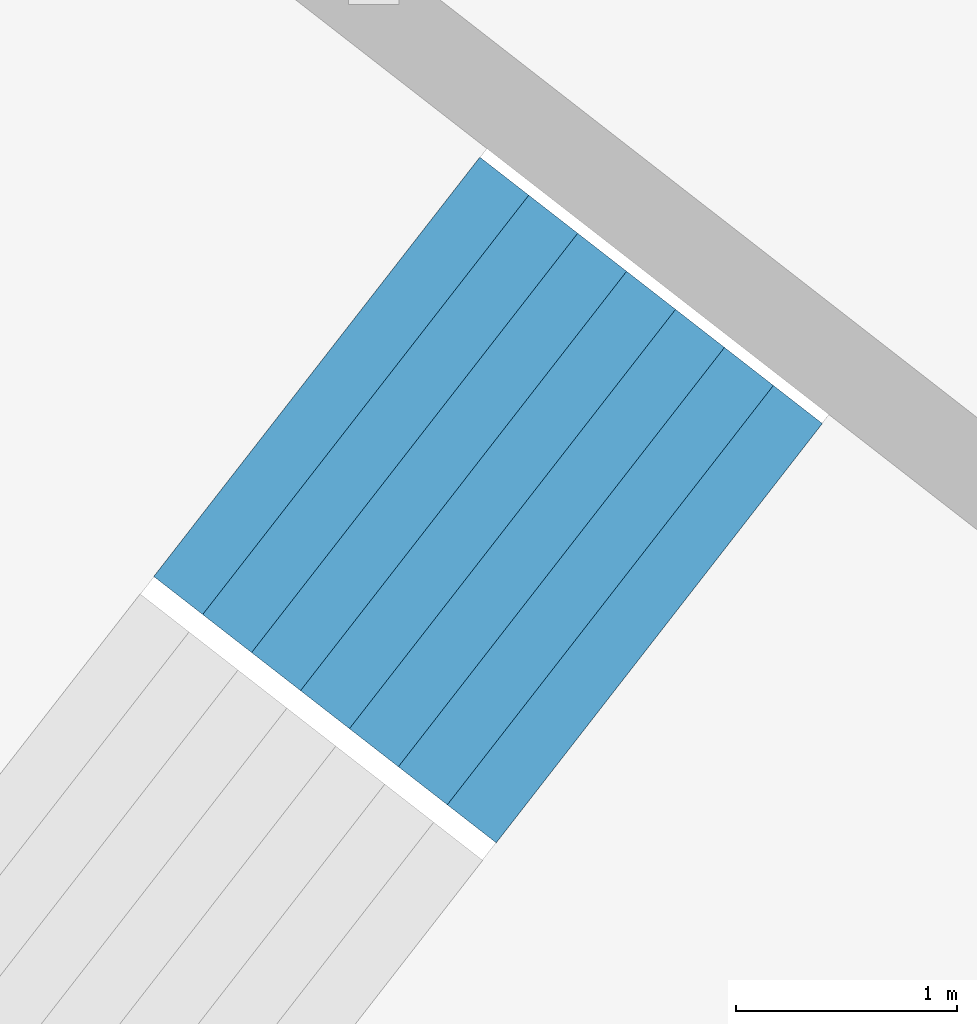
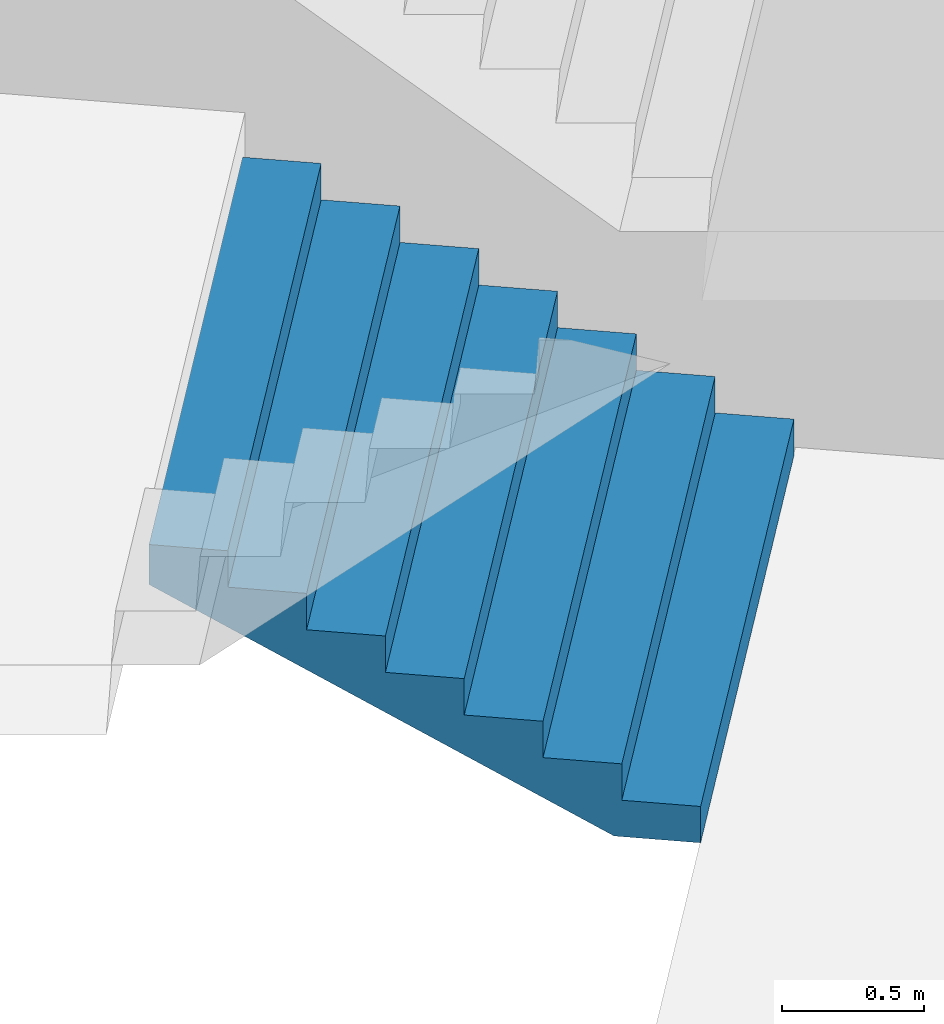
# One storey, part 39 of 73: 1 stair flight, 1 element without a shape of its own.
"""IFC4 building model written with IfcOpenShell, lengths in metres."""

from ifc_helpers import new_model, si_unit, direction, frame, origin, place, context, subcontext, project, spatial, triangles, material, type_object, element, aggregate, save


model = new_model("IFC4")

# Units and contexts
model_context = context("Model", 3, precision=1e-05, world=origin(), true_north=direction((0.0, 1.0)))
body_context = subcontext(model_context, "Body", "Model", "MODEL_VIEW")
ifc_project = project(units=[si_unit("LENGTHUNIT", "METRE"), si_unit("AREAUNIT", "SQUARE_METRE"), si_unit("VOLUMEUNIT", "CUBIC_METRE"), si_unit("PLANEANGLEUNIT", "RADIAN"), si_unit("MASSUNIT", "GRAM", prefix="KILO")], contexts=[model_context])

# Site, building, storey
site_placement = place(None, origin())
site = spatial("IfcSite", under=ifc_project, at=site_placement, CompositionType="ELEMENT")
building_placement = place(site_placement, origin())
building = spatial("IfcBuilding", under=site, at=building_placement, Name="Lantaw Convention Tower", CompositionType="ELEMENT")
storey_placement = place(building_placement, frame((0.0, 0.0, 22.0)))
storey = spatial("IfcBuildingStorey", under=building, at=storey_placement, Name="L03", CompositionType="ELEMENT", Elevation=22.0)

# Stair, stair flight
ifc_material = material(Name="Concrete C35/45", Category="concrete")
stair_type = type_object("IfcStairType", Name="Exit stair 2400 riser 156.25 in 4 flights", PredefinedType="HALF_TURN_STAIR", material=ifc_material)
stair_placement = place(storey_placement, origin())
stair = element("IfcStair", 1, at=stair_placement, inside=storey, type_object=stair_type, Name="Podium exit stair P7 L03", PredefinedType="HALF_TURN_STAIR")
stair_flight_type = type_object("IfcStairFlightType", Name="Stair flight 2400 riser 156.25", PredefinedType="STRAIGHT", material=ifc_material)
stair_flight_placement = place(storey_placement, frame((-27.959716796875, 23.327880859375, 0.0), z_axis=(0.0, 0.0, 1.0), x_axis=(-0.789378829664, 0.613906396186, 0.0)))
stair_flight = element("IfcStairFlight", 2, at=stair_flight_placement, type_object=stair_flight_type, Name="P7 flight 1", NumberOfRisers=8, NumberOfTreads=7, PredefinedType="STRAIGHT", RiserHeight=0.15625, TreadLength=0.28, context=body_context, shape_type="Tessellation", body=[
    triangles([(0.0, 1.199951171875, 0.0), (0.0, 1.199951171875, 0.15625), (0.28, 1.199951171875, 0.0), (0.28, 1.199951171875, 0.15625), (0.28, 1.199951171875, 0.3125), (0.3076200632058044, 1.199951171875, 0.0), (0.3076200632058044, 1.199951171875, 0.3125), (0.56, 1.199951171875, 0.14083701830033238), (0.56, 1.199951171875, 0.3125), (0.56, 1.199951171875, 0.46875), (0.8400000000000001, 1.199951171875, 0.29708701830033235), (0.8400000000000001, 1.199951171875, 0.46875), (0.8400000000000001, 1.199951171875, 0.625), (1.12, 1.199951171875, 0.45333701830033235), (1.12, 1.199951171875, 0.625), (1.12, 1.199951171875, 0.78125), (1.4000000000000001, 1.199951171875, 0.6095870183003324), (1.4000000000000001, 1.199951171875, 0.78125), (1.4000000000000001, 1.199951171875, 0.9375), (1.6800000000000002, 1.199951171875, 0.7658370183003324), (1.6800000000000002, 1.199951171875, 0.9375), (1.6800000000000002, 1.199951171875, 1.09375), (1.9600000000000002, 1.199951171875, 0.9220870183003324), (1.9600000000000002, 1.199951171875, 1.09375), (0.0, -1.199951171875, 0.0), (0.0, -1.199951171875, 0.15625), (0.28, -1.199951171875, 0.0), (0.28, -1.199951171875, 0.15625), (0.28, -1.199951171875, 0.3125), (0.3076200632058044, -1.199951171875, 0.0), (0.3076200632058044, -1.199951171875, 0.3125), (0.56, -1.199951171875, 0.14083701830033238), (0.56, -1.199951171875, 0.3125), (0.56, -1.199951171875, 0.46875), (0.8400000000000001, -1.199951171875, 0.29708701830033235), (0.8400000000000001, -1.199951171875, 0.46875), (0.8400000000000001, -1.199951171875, 0.625), (1.12, -1.199951171875, 0.45333701830033235), (1.12, -1.199951171875, 0.625), (1.12, -1.199951171875, 0.78125), (1.4000000000000001, -1.199951171875, 0.6095870183003324), (1.4000000000000001, -1.199951171875, 0.78125), (1.4000000000000001, -1.199951171875, 0.9375), (1.6800000000000002, -1.199951171875, 0.7658370183003324), (1.6800000000000002, -1.199951171875, 0.9375), (1.6800000000000002, -1.199951171875, 1.09375), (1.9600000000000002, -1.199951171875, 0.9220870183003324), (1.9600000000000002, -1.199951171875, 1.09375), (0.0, 0.239990234375, 0.15625), (0.0, 0.239990234375, 0.0), (0.0, 0.1919921875, 0.15625), (0.0, 0.1919921875, 0.0), (0.0, 0.143994140625, 0.15625), (0.0, 0.143994140625, 0.0), (0.0, 0.09599609375, 0.15625), (0.0, 0.09599609375, 0.0), (0.0, 0.047998046875, 0.15625), (0.0, 0.047998046875, 0.0), (0.0, 0.0, 0.15625), (0.0, 0.0, 0.0), (0.0, -0.047998046875, 0.15625), (0.0, -0.047998046875, 0.0), (0.0, -0.09599609375, 0.15625), (0.0, -0.09599609375, 0.0), (0.0, -0.143994140625, 0.15625), (0.0, -0.143994140625, 0.0), (0.0, -0.1919921875, 0.15625), (0.0, -0.1919921875, 0.0), (0.0, -0.239990234375, 0.15625), (0.0, -0.239990234375, 0.0), (0.28, 0.239990234375, 0.3125), (0.28, 0.239990234375, 0.15625), (0.28, 0.1919921875, 0.3125), (0.28, 0.1919921875, 0.15625), (0.28, 0.143994140625, 0.3125), (0.28, 0.143994140625, 0.15625), (0.28, 0.09599609375, 0.3125), (0.28, 0.09599609375, 0.15625), (0.28, 0.047998046875, 0.3125), (0.28, 0.047998046875, 0.15625), (0.28, 0.0, 0.3125), (0.28, 0.0, 0.15625), (0.28, -0.047998046875, 0.3125), (0.28, -0.047998046875, 0.15625), (0.28, -0.09599609375, 0.3125), (0.28, -0.09599609375, 0.15625), (0.28, -0.143994140625, 0.3125), (0.28, -0.143994140625, 0.15625), (0.28, -0.1919921875, 0.3125), (0.28, -0.1919921875, 0.15625), (0.28, -0.239990234375, 0.3125), (0.28, -0.239990234375, 0.15625), (0.56, 0.239990234375, 0.46875), (0.56, 0.239990234375, 0.3125), (0.56, 0.1919921875, 0.46875), (0.56, 0.1919921875, 0.3125), (0.56, 0.143994140625, 0.46875), (0.56, 0.143994140625, 0.3125), (0.56, 0.09599609375, 0.46875), (0.56, 0.09599609375, 0.3125), (0.56, 0.047998046875, 0.46875), (0.56, 0.047998046875, 0.3125), (0.56, 0.0, 0.46875), (0.56, 0.0, 0.3125), (0.56, -0.047998046875, 0.46875), (0.56, -0.047998046875, 0.3125), (0.56, -0.09599609375, 0.46875), (0.56, -0.09599609375, 0.3125), (0.56, -0.143994140625, 0.46875), (0.56, -0.143994140625, 0.3125), (0.56, -0.1919921875, 0.46875), (0.56, -0.1919921875, 0.3125), (0.56, -0.239990234375, 0.46875), (0.56, -0.239990234375, 0.3125), (0.8400000000000001, 0.239990234375, 0.625), (0.8400000000000001, 0.239990234375, 0.46875), (0.8400000000000001, 0.1919921875, 0.625), (0.8400000000000001, 0.1919921875, 0.46875), (0.8400000000000001, 0.143994140625, 0.625), (0.8400000000000001, 0.143994140625, 0.46875), (0.8400000000000001, 0.09599609375, 0.625), (0.8400000000000001, 0.09599609375, 0.46875), (0.8400000000000001, 0.047998046875, 0.625), (0.8400000000000001, 0.047998046875, 0.46875), (0.8400000000000001, 0.0, 0.625), (0.8400000000000001, 0.0, 0.46875), (0.8400000000000001, -0.047998046875, 0.625), (0.8400000000000001, -0.047998046875, 0.46875), (0.8400000000000001, -0.09599609375, 0.625), (0.8400000000000001, -0.09599609375, 0.46875), (0.8400000000000001, -0.143994140625, 0.625), (0.8400000000000001, -0.143994140625, 0.46875), (0.8400000000000001, -0.1919921875, 0.625), (0.8400000000000001, -0.1919921875, 0.46875), (0.8400000000000001, -0.239990234375, 0.625), (0.8400000000000001, -0.239990234375, 0.46875), (1.12, 0.239990234375, 0.78125), (1.12, 0.239990234375, 0.625), (1.12, 0.1919921875, 0.78125), (1.12, 0.1919921875, 0.625), (1.12, 0.143994140625, 0.78125), (1.12, 0.143994140625, 0.625), (1.12, 0.09599609375, 0.78125), (1.12, 0.09599609375, 0.625), (1.12, 0.047998046875, 0.78125), (1.12, 0.047998046875, 0.625), (1.12, 0.0, 0.78125), (1.12, 0.0, 0.625), (1.12, -0.047998046875, 0.78125), (1.12, -0.047998046875, 0.625), (1.12, -0.09599609375, 0.78125), (1.12, -0.09599609375, 0.625), (1.12, -0.143994140625, 0.78125), (1.12, -0.143994140625, 0.625), (1.12, -0.1919921875, 0.78125), (1.12, -0.1919921875, 0.625), (1.12, -0.239990234375, 0.78125), (1.12, -0.239990234375, 0.625), (1.4000000000000001, 0.239990234375, 0.9375), (1.4000000000000001, 0.239990234375, 0.78125), (1.4000000000000001, 0.1919921875, 0.9375), (1.4000000000000001, 0.1919921875, 0.78125), (1.4000000000000001, 0.143994140625, 0.9375), (1.4000000000000001, 0.143994140625, 0.78125), (1.4000000000000001, 0.09599609375, 0.9375), (1.4000000000000001, 0.09599609375, 0.78125), (1.4000000000000001, 0.047998046875, 0.9375), (1.4000000000000001, 0.047998046875, 0.78125), (1.4000000000000001, 0.0, 0.9375), (1.4000000000000001, 0.0, 0.78125), (1.4000000000000001, -0.047998046875, 0.9375), (1.4000000000000001, -0.047998046875, 0.78125), (1.4000000000000001, -0.09599609375, 0.9375), (1.4000000000000001, -0.09599609375, 0.78125), (1.4000000000000001, -0.143994140625, 0.9375), (1.4000000000000001, -0.143994140625, 0.78125), (1.4000000000000001, -0.1919921875, 0.9375), (1.4000000000000001, -0.1919921875, 0.78125), (1.4000000000000001, -0.239990234375, 0.9375), (1.4000000000000001, -0.239990234375, 0.78125), (1.6800000000000002, 0.239990234375, 1.09375), (1.6800000000000002, 0.239990234375, 0.9375), (1.6800000000000002, 0.1919921875, 1.09375), (1.6800000000000002, 0.1919921875, 0.9375), (1.6800000000000002, 0.143994140625, 1.09375), (1.6800000000000002, 0.143994140625, 0.9375), (1.6800000000000002, 0.09599609375, 1.09375), (1.6800000000000002, 0.09599609375, 0.9375), (1.6800000000000002, 0.047998046875, 1.09375), (1.6800000000000002, 0.047998046875, 0.9375), (1.6800000000000002, 0.0, 1.09375), (1.6800000000000002, 0.0, 0.9375), (1.6800000000000002, -0.047998046875, 1.09375), (1.6800000000000002, -0.047998046875, 0.9375), (1.6800000000000002, -0.09599609375, 1.09375), (1.6800000000000002, -0.09599609375, 0.9375), (1.6800000000000002, -0.143994140625, 1.09375), (1.6800000000000002, -0.143994140625, 0.9375), (1.6800000000000002, -0.1919921875, 1.09375), (1.6800000000000002, -0.1919921875, 0.9375), (1.6800000000000002, -0.239990234375, 1.09375), (1.6800000000000002, -0.239990234375, 0.9375), (0.3076200632058044, 0.239990234375, 0.3125), (0.3076200632058044, 0.1919921875, 0.3125), (0.3076200632058044, 0.143994140625, 0.3125), (0.3076200632058044, 0.09599609375, 0.3125), (0.3076200632058044, 0.047998046875, 0.3125), (0.3076200632058044, 0.0, 0.3125), (0.3076200632058044, -0.047998046875, 0.3125), (0.3076200632058044, -0.09599609375, 0.3125), (0.3076200632058044, -0.143994140625, 0.3125), (0.3076200632058044, -0.1919921875, 0.3125), (0.3076200632058044, -0.239990234375, 0.3125), (1.9600000000000002, 0.239990234375, 1.09375), (1.9600000000000002, 0.1919921875, 1.09375), (1.9600000000000002, 0.143994140625, 1.09375), (1.9600000000000002, 0.09599609375, 1.09375), (1.9600000000000002, 0.047998046875, 1.09375), (1.9600000000000002, 0.0, 1.09375), (1.9600000000000002, -0.047998046875, 1.09375), (1.9600000000000002, -0.09599609375, 1.09375), (1.9600000000000002, -0.143994140625, 1.09375), (1.9600000000000002, -0.1919921875, 1.09375), (1.9600000000000002, -0.239990234375, 1.09375), (1.9600000000000002, 0.239990234375, 0.9220870183003324), (1.9600000000000002, 0.1919921875, 0.9220870183003324), (1.9600000000000002, 0.143994140625, 0.9220870183003324), (1.9600000000000002, 0.09599609375, 0.9220870183003324), (1.9600000000000002, 0.047998046875, 0.9220870183003324), (1.9600000000000002, 0.0, 0.9220870183003324), (1.9600000000000002, -0.047998046875, 0.9220870183003324), (1.9600000000000002, -0.09599609375, 0.9220870183003324), (1.9600000000000002, -0.143994140625, 0.9220870183003324), (1.9600000000000002, -0.1919921875, 0.9220870183003324), (1.9600000000000002, -0.239990234375, 0.9220870183003324), (1.6800000000000002, 0.239990234375, 0.7658370183003324), (1.6800000000000002, 0.1919921875, 0.7658370183003324), (1.6800000000000002, 0.143994140625, 0.7658370183003324), (1.6800000000000002, 0.09599609375, 0.7658370183003324), (1.6800000000000002, 0.047998046875, 0.7658370183003324), (1.6800000000000002, 0.0, 0.7658370183003324), (1.6800000000000002, -0.047998046875, 0.7658370183003324), (1.6800000000000002, -0.09599609375, 0.7658370183003324), (1.6800000000000002, -0.143994140625, 0.7658370183003324), (1.6800000000000002, -0.1919921875, 0.7658370183003324), (1.6800000000000002, -0.239990234375, 0.7658370183003324), (1.4000000000000001, 0.239990234375, 0.6095870183003324), (1.4000000000000001, 0.1919921875, 0.6095870183003324), (1.4000000000000001, 0.143994140625, 0.6095870183003324), (1.4000000000000001, 0.09599609375, 0.6095870183003324), (1.4000000000000001, 0.047998046875, 0.6095870183003324), (1.4000000000000001, 0.0, 0.6095870183003324), (1.4000000000000001, -0.047998046875, 0.6095870183003324), (1.4000000000000001, -0.09599609375, 0.6095870183003324), (1.4000000000000001, -0.143994140625, 0.6095870183003324), (1.4000000000000001, -0.1919921875, 0.6095870183003324), (1.4000000000000001, -0.239990234375, 0.6095870183003324), (1.12, 0.239990234375, 0.45333701830033235), (1.12, 0.1919921875, 0.45333701830033235), (1.12, 0.143994140625, 0.45333701830033235), (1.12, 0.09599609375, 0.45333701830033235), (1.12, 0.047998046875, 0.45333701830033235), (1.12, 0.0, 0.45333701830033235), (1.12, -0.047998046875, 0.45333701830033235), (1.12, -0.09599609375, 0.45333701830033235), (1.12, -0.143994140625, 0.45333701830033235), (1.12, -0.1919921875, 0.45333701830033235), (1.12, -0.239990234375, 0.45333701830033235), (0.8400000000000001, 0.239990234375, 0.29708701830033235), (0.8400000000000001, 0.1919921875, 0.29708701830033235), (0.8400000000000001, 0.143994140625, 0.29708701830033235), (0.8400000000000001, 0.09599609375, 0.29708701830033235), (0.8400000000000001, 0.047998046875, 0.29708701830033235), (0.8400000000000001, 0.0, 0.29708701830033235), (0.8400000000000001, -0.047998046875, 0.29708701830033235), (0.8400000000000001, -0.09599609375, 0.29708701830033235), (0.8400000000000001, -0.143994140625, 0.29708701830033235), (0.8400000000000001, -0.1919921875, 0.29708701830033235), (0.8400000000000001, -0.239990234375, 0.29708701830033235), (0.56, 0.239990234375, 0.14083701830033238), (0.56, 0.1919921875, 0.14083701830033238), (0.56, 0.143994140625, 0.14083701830033238), (0.56, 0.09599609375, 0.14083701830033238), (0.56, 0.047998046875, 0.14083701830033238), (0.56, 0.0, 0.14083701830033238), (0.56, -0.047998046875, 0.14083701830033238), (0.56, -0.09599609375, 0.14083701830033238), (0.56, -0.143994140625, 0.14083701830033238), (0.56, -0.1919921875, 0.14083701830033238), (0.56, -0.239990234375, 0.14083701830033238), (0.3076200632058044, 0.239990234375, 0.0), (0.3076200632058044, 0.1919921875, 0.0), (0.3076200632058044, 0.143994140625, 0.0), (0.3076200632058044, 0.09599609375, 0.0), (0.3076200632058044, 0.047998046875, 0.0), (0.3076200632058044, 0.0, 0.0), (0.3076200632058044, -0.047998046875, 0.0), (0.3076200632058044, -0.09599609375, 0.0), (0.3076200632058044, -0.143994140625, 0.0), (0.3076200632058044, -0.1919921875, 0.0), (0.3076200632058044, -0.239990234375, 0.0), (0.28, 0.239990234375, 0.0), (0.28, 0.1919921875, 0.0), (0.28, 0.143994140625, 0.0), (0.28, 0.09599609375, 0.0), (0.28, 0.047998046875, 0.0), (0.28, 0.0, 0.0), (0.28, -0.047998046875, 0.0), (0.28, -0.09599609375, 0.0), (0.28, -0.143994140625, 0.0), (0.28, -0.1919921875, 0.0), (0.28, -0.239990234375, 0.0)], [[1, 4, 3], [1, 2, 4], [3, 4, 6], [4, 7, 6], [4, 5, 7], [6, 9, 8], [6, 7, 9], [8, 9, 11], [9, 12, 11], [9, 10, 12], [11, 12, 14], [12, 15, 14], [12, 13, 15], [14, 15, 17], [15, 18, 17], [15, 16, 18], [17, 18, 20], [18, 21, 20], [18, 19, 21], [20, 21, 23], [21, 24, 23], [21, 22, 24], [25, 27, 28], [25, 28, 26], [27, 30, 28], [28, 30, 31], [28, 31, 29], [30, 32, 33], [30, 33, 31], [32, 35, 33], [33, 35, 36], [33, 36, 34], [35, 38, 36], [36, 38, 39], [36, 39, 37], [38, 41, 39], [39, 41, 42], [39, 42, 40], [41, 44, 42], [42, 44, 45], [42, 45, 43], [44, 47, 45], [45, 47, 48], [45, 48, 46], [1, 49, 2], [1, 50, 49], [50, 51, 49], [50, 52, 51], [52, 53, 51], [52, 54, 53], [54, 55, 53], [54, 56, 55], [56, 57, 55], [56, 58, 57], [58, 59, 57], [58, 60, 59], [60, 61, 59], [60, 62, 61], [62, 63, 61], [62, 64, 63], [64, 65, 63], [64, 66, 65], [66, 67, 65], [66, 68, 67], [68, 69, 67], [68, 70, 69], [70, 26, 69], [70, 25, 26], [4, 71, 5], [4, 72, 71], [72, 73, 71], [72, 74, 73], [74, 75, 73], [74, 76, 75], [76, 77, 75], [76, 78, 77], [78, 79, 77], [78, 80, 79], [80, 81, 79], [80, 82, 81], [82, 83, 81], [82, 84, 83], [84, 85, 83], [84, 86, 85], [86, 87, 85], [86, 88, 87], [88, 89, 87], [88, 90, 89], [90, 91, 89], [90, 92, 91], [92, 29, 91], [92, 28, 29], [9, 93, 10], [9, 94, 93], [94, 95, 93], [94, 96, 95], [96, 97, 95], [96, 98, 97], [98, 99, 97], [98, 100, 99], [100, 101, 99], [100, 102, 101], [102, 103, 101], [102, 104, 103], [104, 105, 103], [104, 106, 105], [106, 107, 105], [106, 108, 107], [108, 109, 107], [108, 110, 109], [110, 111, 109], [110, 112, 111], [112, 113, 111], [112, 114, 113], [114, 34, 113], [114, 33, 34], [12, 115, 13], [12, 116, 115], [116, 117, 115], [116, 118, 117], [118, 119, 117], [118, 120, 119], [120, 121, 119], [120, 122, 121], [122, 123, 121], [122, 124, 123], [124, 125, 123], [124, 126, 125], [126, 127, 125], [126, 128, 127], [128, 129, 127], [128, 130, 129], [130, 131, 129], [130, 132, 131], [132, 133, 131], [132, 134, 133], [134, 135, 133], [134, 136, 135], [136, 37, 135], [136, 36, 37], [15, 137, 16], [15, 138, 137], [138, 139, 137], [138, 140, 139], [140, 141, 139], [140, 142, 141], [142, 143, 141], [142, 144, 143], [144, 145, 143], [144, 146, 145], [146, 147, 145], [146, 148, 147], [148, 149, 147], [148, 150, 149], [150, 151, 149], [150, 152, 151], [152, 153, 151], [152, 154, 153], [154, 155, 153], [154, 156, 155], [156, 157, 155], [156, 158, 157], [158, 40, 157], [158, 39, 40], [18, 159, 19], [18, 160, 159], [160, 161, 159], [160, 162, 161], [162, 163, 161], [162, 164, 163], [164, 165, 163], [164, 166, 165], [166, 167, 165], [166, 168, 167], [168, 169, 167], [168, 170, 169], [170, 171, 169], [170, 172, 171], [172, 173, 171], [172, 174, 173], [174, 175, 173], [174, 176, 175], [176, 177, 175], [176, 178, 177], [178, 179, 177], [178, 180, 179], [180, 43, 179], [180, 42, 43], [21, 181, 22], [21, 182, 181], [182, 183, 181], [182, 184, 183], [184, 185, 183], [184, 186, 185], [186, 187, 185], [186, 188, 187], [188, 189, 187], [188, 190, 189], [190, 191, 189], [190, 192, 191], [192, 193, 191], [192, 194, 193], [194, 195, 193], [194, 196, 195], [196, 197, 195], [196, 198, 197], [198, 199, 197], [198, 200, 199], [200, 201, 199], [200, 202, 201], [202, 46, 201], [202, 45, 46], [2, 72, 4], [2, 49, 72], [49, 74, 72], [49, 51, 74], [51, 76, 74], [51, 53, 76], [53, 78, 76], [53, 55, 78], [55, 80, 78], [55, 57, 80], [57, 82, 80], [57, 59, 82], [59, 84, 82], [59, 61, 84], [61, 86, 84], [61, 63, 86], [63, 88, 86], [63, 65, 88], [65, 90, 88], [65, 67, 90], [67, 92, 90], [67, 69, 92], [69, 28, 92], [69, 26, 28], [5, 203, 7], [5, 71, 203], [71, 204, 203], [71, 73, 204], [73, 205, 204], [73, 75, 205], [75, 206, 205], [75, 77, 206], [77, 207, 206], [77, 79, 207], [79, 208, 207], [79, 81, 208], [81, 209, 208], [81, 83, 209], [83, 210, 209], [83, 85, 210], [85, 211, 210], [85, 87, 211], [87, 212, 211], [87, 89, 212], [89, 213, 212], [89, 91, 213], [91, 31, 213], [91, 29, 31], [7, 94, 9], [7, 203, 94], [203, 96, 94], [203, 204, 96], [204, 98, 96], [204, 205, 98], [205, 100, 98], [205, 206, 100], [206, 102, 100], [206, 207, 102], [207, 104, 102], [207, 208, 104], [208, 106, 104], [208, 209, 106], [209, 108, 106], [209, 210, 108], [210, 110, 108], [210, 211, 110], [211, 112, 110], [211, 212, 112], [212, 114, 112], [212, 213, 114], [213, 33, 114], [213, 31, 33], [10, 116, 12], [10, 93, 116], [93, 118, 116], [93, 95, 118], [95, 120, 118], [95, 97, 120], [97, 122, 120], [97, 99, 122], [99, 124, 122], [99, 101, 124], [101, 126, 124], [101, 103, 126], [103, 128, 126], [103, 105, 128], [105, 130, 128], [105, 107, 130], [107, 132, 130], [107, 109, 132], [109, 134, 132], [109, 111, 134], [111, 136, 134], [111, 113, 136], [113, 36, 136], [113, 34, 36], [13, 138, 15], [13, 115, 138], [115, 140, 138], [115, 117, 140], [117, 142, 140], [117, 119, 142], [119, 144, 142], [119, 121, 144], [121, 146, 144], [121, 123, 146], [123, 148, 146], [123, 125, 148], [125, 150, 148], [125, 127, 150], [127, 152, 150], [127, 129, 152], [129, 154, 152], [129, 131, 154], [131, 156, 154], [131, 133, 156], [133, 158, 156], [133, 135, 158], [135, 39, 158], [135, 37, 39], [16, 160, 18], [16, 137, 160], [137, 162, 160], [137, 139, 162], [139, 164, 162], [139, 141, 164], [141, 166, 164], [141, 143, 166], [143, 168, 166], [143, 145, 168], [145, 170, 168], [145, 147, 170], [147, 172, 170], [147, 149, 172], [149, 174, 172], [149, 151, 174], [151, 176, 174], [151, 153, 176], [153, 178, 176], [153, 155, 178], [155, 180, 178], [155, 157, 180], [157, 42, 180], [157, 40, 42], [19, 182, 21], [19, 159, 182], [159, 184, 182], [159, 161, 184], [161, 186, 184], [161, 163, 186], [163, 188, 186], [163, 165, 188], [165, 190, 188], [165, 167, 190], [167, 192, 190], [167, 169, 192], [169, 194, 192], [169, 171, 194], [171, 196, 194], [171, 173, 196], [173, 198, 196], [173, 175, 198], [175, 200, 198], [175, 177, 200], [177, 202, 200], [177, 179, 202], [179, 45, 202], [179, 43, 45], [22, 214, 24], [22, 181, 214], [181, 215, 214], [181, 183, 215], [183, 216, 215], [183, 185, 216], [185, 217, 216], [185, 187, 217], [187, 218, 217], [187, 189, 218], [189, 219, 218], [189, 191, 219], [191, 220, 219], [191, 193, 220], [193, 221, 220], [193, 195, 221], [195, 222, 221], [195, 197, 222], [197, 223, 222], [197, 199, 223], [199, 224, 223], [199, 201, 224], [201, 48, 224], [201, 46, 48], [24, 225, 23], [24, 214, 225], [214, 226, 225], [214, 215, 226], [215, 227, 226], [215, 216, 227], [216, 228, 227], [216, 217, 228], [217, 229, 228], [217, 218, 229], [218, 230, 229], [218, 219, 230], [219, 231, 230], [219, 220, 231], [220, 232, 231], [220, 221, 232], [221, 233, 232], [221, 222, 233], [222, 234, 233], [222, 223, 234], [223, 235, 234], [223, 224, 235], [224, 47, 235], [224, 48, 47], [23, 236, 20], [23, 225, 236], [225, 237, 236], [225, 226, 237], [226, 238, 237], [226, 227, 238], [227, 239, 238], [227, 228, 239], [228, 240, 239], [228, 229, 240], [229, 241, 240], [229, 230, 241], [230, 242, 241], [230, 231, 242], [231, 243, 242], [231, 232, 243], [232, 244, 243], [232, 233, 244], [233, 245, 244], [233, 234, 245], [234, 246, 245], [234, 235, 246], [235, 44, 246], [235, 47, 44], [20, 247, 17], [20, 236, 247], [236, 248, 247], [236, 237, 248], [237, 249, 248], [237, 238, 249], [238, 250, 249], [238, 239, 250], [239, 251, 250], [239, 240, 251], [240, 252, 251], [240, 241, 252], [241, 253, 252], [241, 242, 253], [242, 254, 253], [242, 243, 254], [243, 255, 254], [243, 244, 255], [244, 256, 255], [244, 245, 256], [245, 257, 256], [245, 246, 257], [246, 41, 257], [246, 44, 41], [17, 258, 14], [17, 247, 258], [247, 259, 258], [247, 248, 259], [248, 260, 259], [248, 249, 260], [249, 261, 260], [249, 250, 261], [250, 262, 261], [250, 251, 262], [251, 263, 262], [251, 252, 263], [252, 264, 263], [252, 253, 264], [253, 265, 264], [253, 254, 265], [254, 266, 265], [254, 255, 266], [255, 267, 266], [255, 256, 267], [256, 268, 267], [256, 257, 268], [257, 38, 268], [257, 41, 38], [14, 269, 11], [14, 258, 269], [258, 270, 269], [258, 259, 270], [259, 271, 270], [259, 260, 271], [260, 272, 271], [260, 261, 272], [261, 273, 272], [261, 262, 273], [262, 274, 273], [262, 263, 274], [263, 275, 274], [263, 264, 275], [264, 276, 275], [264, 265, 276], [265, 277, 276], [265, 266, 277], [266, 278, 277], [266, 267, 278], [267, 279, 278], [267, 268, 279], [268, 35, 279], [268, 38, 35], [11, 280, 8], [11, 269, 280], [269, 281, 280], [269, 270, 281], [270, 282, 281], [270, 271, 282], [271, 283, 282], [271, 272, 283], [272, 284, 283], [272, 273, 284], [273, 285, 284], [273, 274, 285], [274, 286, 285], [274, 275, 286], [275, 287, 286], [275, 276, 287], [276, 288, 287], [276, 277, 288], [277, 289, 288], [277, 278, 289], [278, 290, 289], [278, 279, 290], [279, 32, 290], [279, 35, 32], [8, 291, 6], [8, 280, 291], [280, 292, 291], [280, 281, 292], [281, 293, 292], [281, 282, 293], [282, 294, 293], [282, 283, 294], [283, 295, 294], [283, 284, 295], [284, 296, 295], [284, 285, 296], [285, 297, 296], [285, 286, 297], [286, 298, 297], [286, 287, 298], [287, 299, 298], [287, 288, 299], [288, 300, 299], [288, 289, 300], [289, 301, 300], [289, 290, 301], [290, 30, 301], [290, 32, 30], [6, 302, 3], [6, 291, 302], [291, 303, 302], [291, 292, 303], [292, 304, 303], [292, 293, 304], [293, 305, 304], [293, 294, 305], [294, 306, 305], [294, 295, 306], [295, 307, 306], [295, 296, 307], [296, 308, 307], [296, 297, 308], [297, 309, 308], [297, 298, 309], [298, 310, 309], [298, 299, 310], [299, 311, 310], [299, 300, 311], [300, 312, 311], [300, 301, 312], [301, 27, 312], [301, 30, 27], [3, 50, 1], [3, 302, 50], [302, 52, 50], [302, 303, 52], [303, 54, 52], [303, 304, 54], [304, 56, 54], [304, 305, 56], [305, 58, 56], [305, 306, 58], [306, 60, 58], [306, 307, 60], [307, 62, 60], [307, 308, 62], [308, 64, 62], [308, 309, 64], [309, 66, 64], [309, 310, 66], [310, 68, 66], [310, 311, 68], [311, 70, 68], [311, 312, 70], [312, 25, 70], [312, 27, 25]], closed=True),
])
aggregate(stair, [stair_flight])

save(model, "model.ifc")
